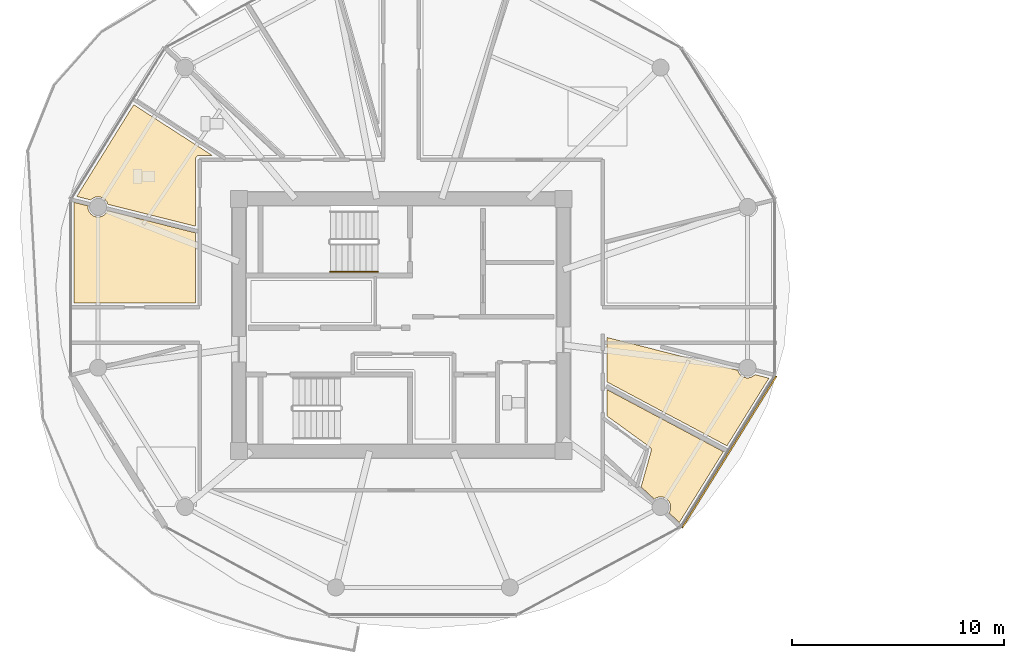
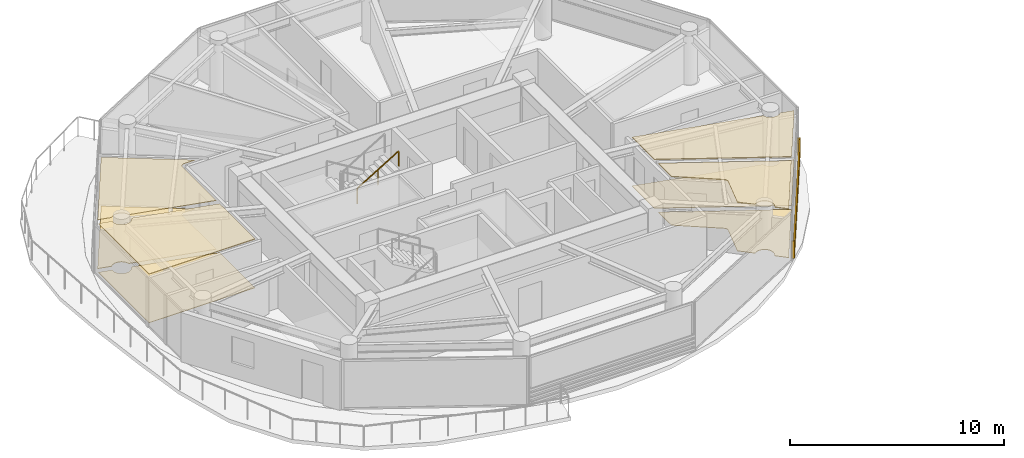
# One storey, part 20 of 25: 8 coverings, 1 railing, 1 shading device.
"""IFC4 building model written with IfcOpenShell, lengths in metres."""

from ifc_helpers import new_model, si_unit, direction, frame, origin, origin_2d, place, context, subcontext, project, spatial, polyline, rectangle, outline, extrude, source, transform, mapped, material, layer, layer_set, type_object, type_shapes, element, save


model = new_model("IFC4")

# Units and contexts
model_context = context("Model", 3, precision=1e-05, world=origin(), true_north=direction((0.0, 1.0)))
body_context = subcontext(model_context, "Body", "Model", "MODEL_VIEW")
ifc_project = project(units=[si_unit("LENGTHUNIT", "METRE"), si_unit("AREAUNIT", "SQUARE_METRE"), si_unit("VOLUMEUNIT", "CUBIC_METRE"), si_unit("PLANEANGLEUNIT", "RADIAN"), si_unit("MASSUNIT", "GRAM", prefix="KILO")], contexts=[model_context])

# Site, building, storey
site_placement = place(None, origin())
site = spatial("IfcSite", under=ifc_project, at=site_placement, CompositionType="ELEMENT")
building_placement = place(site_placement, origin())
building = spatial("IfcBuilding", under=site, at=building_placement, Name="Norrkilde Senior Care Towers", CompositionType="ELEMENT")
storey_placement = place(building_placement, frame((0.0, 0.0, 161.75)))
storey = spatial("IfcBuildingStorey", under=building, at=storey_placement, Name="L50", CompositionType="ELEMENT", Elevation=161.75)

# Coverings
ifc_material_1 = material(Name="Nordic Ash Timber", Category="wood")
ifc_layer_1 = layer(ifc_material_1, 0.044921875)
ifc_layer_set_1 = layer_set([ifc_layer_1], Name="Nordic Ash Timber")
covering_type_1 = type_object("IfcCoveringType", Name="Acoustic Ash Timber Slatted Ceiling 45", PredefinedType="CEILING", material=ifc_layer_set_1)
covering_1_placement = place(storey_placement, frame((0.0, 0.0, 2.764892578125)))
element("IfcCovering", 1, at=covering_1_placement, inside=storey, type_object=covering_type_1, Name="L50 Suspended Ceiling 0306", PredefinedType="CEILING", context=body_context, shape_type="SweptSolid", body=[
    extrude(outline(polyline([(-37.699951171875, 1.0400390625), (-43.410888671875, 1.0400390625), (-43.410888671875, 5.779541015625), (-42.758544921875, 5.61572265625), (-42.764892578125, 5.567138671875), (-42.74853515625, 5.44287109375), (-42.70068359375, 5.3271484375), (-42.624267578125, 5.2275390625), (-42.52490234375, 5.1513671875), (-42.4091796875, 5.103515625), (-42.284912109375, 5.087158203125), (-42.16064453125, 5.103515625), (-42.044921875, 5.1513671875), (-41.945556640625, 5.2275390625), (-41.869140625, 5.3271484375), (-41.8447265625, 5.38623046875), (-37.699951171875, 4.34521484375), (-37.699951171875, 1.0400390625)])), origin(), (0.0, 0.0, 1.0), 0.045166015625),
])
covering_2_placement = place(storey_placement, frame((0.0, 0.0, 2.764892578125)))
element("IfcCovering", 2, at=covering_2_placement, inside=storey, type_object=covering_type_1, Name="L50 Suspended Ceiling 0316", PredefinedType="CEILING", context=body_context, shape_type="SweptSolid", body=[
    extrude(outline(polyline([(-16.211181640625, -5.9482421875), (-16.20947265625, -5.94140625), (-16.20751953125, -5.92919921875), (-16.20654296875, -5.92236328125), (-16.20556640625, -5.91015625), (-16.20556640625, -5.903076171875), (-16.205810546875, -5.890869140625), (-16.20654296875, -5.8837890625), (-16.2080078125, -5.871826171875), (-16.20947265625, -5.86474609375), (-16.212158203125, -5.852783203125), (-16.214111328125, -5.84619140625), (-16.21826171875, -5.834716796875), (-16.220703125, -5.828125), (-16.225830078125, -5.81689453125), (-16.229248046875, -5.810791015625), (-16.235595703125, -5.80029296875), (-16.239501953125, -5.79443359375), (-16.24658203125, -5.78466796875), (-16.251220703125, -5.779052734375), (-16.25927734375, -5.770263671875), (-16.264404296875, -5.76513671875), (-16.2734375, -5.757080078125), (-16.279052734375, -5.752685546875), (-16.283935546875, -5.748779296875), (-18.300048828125, -4.28564453125), (-18.300048828125, -3.04638671875), (-12.807861328125, -5.970458984375), (-14.88134765625, -9.310546875), (-15.373779296875, -8.8525390625), (-15.3515625, -8.82373046875), (-15.3037109375, -8.7080078125), (-15.287353515625, -8.583740234375), (-15.3037109375, -8.45947265625), (-15.3515625, -8.34375), (-15.427978515625, -8.244384765625), (-15.52734375, -8.16796875), (-15.64306640625, -8.1201171875), (-15.767333984375, -8.103759765625), (-15.8916015625, -8.1201171875), (-16.00732421875, -8.16796875), (-16.0634765625, -8.211181640625), (-16.684814453125, -7.633056640625), (-16.212646484375, -5.9541015625), (-16.211181640625, -5.9482421875)])), origin(), (0.0, 0.0, 1.0), 0.045166015625),
])
covering_3_placement = place(storey_placement, frame((0.0, 0.0, 2.764892578125)))
element("IfcCovering", 3, at=covering_3_placement, inside=storey, type_object=covering_type_1, Name="L50 Suspended Ceiling 0317", PredefinedType="CEILING", context=body_context, shape_type="SweptSolid", body=[
    extrude(outline(polyline([(-12.12890625, -2.138916015625), (-12.128662109375, -2.140625), (-12.080810546875, -2.25634765625), (-12.00439453125, -2.355712890625), (-11.905029296875, -2.43212890625), (-11.789306640625, -2.47998046875), (-11.6650390625, -2.496337890625), (-11.540771484375, -2.47998046875), (-11.425048828125, -2.43212890625), (-11.32568359375, -2.355712890625), (-11.31591796875, -2.343017578125), (-10.658447265625, -2.508056640625), (-12.638671875, -5.697998046875), (-18.22900390625, -2.7216796875), (-18.2998046875, -2.68359375), (-18.300048828125, -0.5888671875), (-12.12890625, -2.138916015625)])), origin(), (0.0, 0.0, 1.0), 0.045166015625),
])
ifc_material_2 = material(Name="Gypsum Acoustic Board")
ifc_layer_2 = layer(ifc_material_2, 0.030029296875)
ifc_layer_set_2 = layer_set([ifc_layer_2], Name="Gypsum Acoustic Board")
covering_type_2 = type_object("IfcCoveringType", Name="Medical Cleanable Gypsum Ceiling 30", PredefinedType="CEILING", material=ifc_layer_set_2)
covering_4_placement = place(storey_placement, frame((0.0, 0.0, 2.780029296875)))
element("IfcCovering", 4, at=covering_4_placement, inside=storey, type_object=covering_type_2, Name="L50 Suspended Ceiling 0314", PredefinedType="CEILING", context=body_context, shape_type="SweptSolid", body=[
    extrude(outline(polyline([(-37.552490234375, 7.992919921875), (-37.563720703125, 7.989501953125), (-37.571044921875, 7.98681640625), (-37.58203125, 7.982421875), (-37.589111328125, 7.97900390625), (-37.599365234375, 7.973388671875), (-37.606201171875, 7.969482421875), (-37.615966796875, 7.962890625), (-37.622314453125, 7.958251953125), (-37.63134765625, 7.95068359375), (-37.63720703125, 7.945556640625), (-37.6455078125, 7.937255859375), (-37.65087890625, 7.931396484375), (-37.658203125, 7.92236328125), (-37.662841796875, 7.916015625), (-37.66943359375, 7.90625), (-37.673583984375, 7.8994140625), (-37.678955078125, 7.888916015625), (-37.682373046875, 7.8818359375), (-37.68701171875, 7.87109375), (-37.689453125, 7.86376953125), (-37.69287109375, 7.852294921875), (-37.69482421875, 7.8447265625), (-37.697265625, 7.833251953125), (-37.6982421875, 7.825439453125), (-37.699462890625, 7.813720703125), (-37.699951171875, 7.805908203125), (-37.699951171875, 7.800048828125), (-37.699951171875, 4.654541015625), (-41.821044921875, 5.689453125), (-41.8212890625, 5.691162109375), (-41.869140625, 5.80712890625), (-41.945556640625, 5.906494140625), (-42.044921875, 5.982666015625), (-42.16064453125, 6.03076171875), (-42.284912109375, 6.047119140625), (-42.4091796875, 6.03076171875), (-42.52490234375, 5.982666015625), (-42.624267578125, 5.906494140625), (-42.634033203125, 5.893798828125), (-43.291748046875, 6.058837890625), (-40.606689453125, 10.3837890625), (-36.91748046875, 8.0), (-37.5, 8.0), (-37.505859375, 7.999755859375), (-37.513671875, 7.99951171875), (-37.525390625, 7.998291015625), (-37.533203125, 7.9970703125), (-37.544677734375, 7.994873046875), (-37.552490234375, 7.992919921875)])), origin(), (0.0, 0.0, 1.0), 0.030029296875),
])
ifc_material_3 = material(Name="Slip-Resistant Porcelain Stone", Category="masonry")
ifc_layer_3 = layer(ifc_material_3, 0.02490234375)
ifc_layer_set_3 = layer_set([ifc_layer_3], Name="Slip-Resistant Porcelain Stone")
covering_type_3 = type_object("IfcCoveringType", Name="Slip-Resistant Porcelain Flooring 25", PredefinedType="FLOORING", material=ifc_layer_set_3)
covering_5_placement = place(storey_placement, origin())
element("IfcCovering", 5, at=covering_5_placement, inside=storey, type_object=covering_type_3, Name="L50 Floor Finish 0306", PredefinedType="FLOORING", context=body_context, shape_type="SweptSolid", body=[
    extrude(outline(polyline([(-37.699951171875, 1.0400390625), (-43.410888671875, 1.0400390625), (-43.410888671875, 5.779541015625), (-42.758544921875, 5.61572265625), (-42.764892578125, 5.567138671875), (-42.74853515625, 5.44287109375), (-42.70068359375, 5.3271484375), (-42.624267578125, 5.2275390625), (-42.52490234375, 5.1513671875), (-42.4091796875, 5.103515625), (-42.284912109375, 5.087158203125), (-42.16064453125, 5.103515625), (-42.044921875, 5.1513671875), (-41.945556640625, 5.2275390625), (-41.869140625, 5.3271484375), (-41.8447265625, 5.38623046875), (-37.699951171875, 4.34521484375), (-37.699951171875, 1.0400390625)])), origin(), (0.0, 0.0, 1.0), 0.02490234375),
])
covering_6_placement = place(storey_placement, origin())
element("IfcCovering", 6, at=covering_6_placement, inside=storey, type_object=covering_type_3, Name="L50 Floor Finish 0314", PredefinedType="FLOORING", context=body_context, shape_type="SweptSolid", body=[
    extrude(outline(polyline([(-37.552490234375, 7.992919921875), (-37.563720703125, 7.989501953125), (-37.571044921875, 7.98681640625), (-37.58203125, 7.982421875), (-37.589111328125, 7.97900390625), (-37.599365234375, 7.973388671875), (-37.606201171875, 7.969482421875), (-37.615966796875, 7.962890625), (-37.622314453125, 7.958251953125), (-37.63134765625, 7.95068359375), (-37.63720703125, 7.945556640625), (-37.6455078125, 7.937255859375), (-37.65087890625, 7.931396484375), (-37.658203125, 7.92236328125), (-37.662841796875, 7.916015625), (-37.66943359375, 7.90625), (-37.673583984375, 7.8994140625), (-37.678955078125, 7.888916015625), (-37.682373046875, 7.8818359375), (-37.68701171875, 7.87109375), (-37.689453125, 7.86376953125), (-37.69287109375, 7.852294921875), (-37.69482421875, 7.8447265625), (-37.697265625, 7.833251953125), (-37.6982421875, 7.825439453125), (-37.699462890625, 7.813720703125), (-37.699951171875, 7.805908203125), (-37.699951171875, 7.800048828125), (-37.699951171875, 4.654541015625), (-41.821044921875, 5.689453125), (-41.8212890625, 5.691162109375), (-41.869140625, 5.80712890625), (-41.945556640625, 5.906494140625), (-42.044921875, 5.982666015625), (-42.16064453125, 6.03076171875), (-42.284912109375, 6.047119140625), (-42.4091796875, 6.03076171875), (-42.52490234375, 5.982666015625), (-42.624267578125, 5.906494140625), (-42.634033203125, 5.893798828125), (-43.291748046875, 6.058837890625), (-40.606689453125, 10.3837890625), (-36.91748046875, 8.0), (-37.5, 8.0), (-37.505859375, 7.999755859375), (-37.513671875, 7.99951171875), (-37.525390625, 7.998291015625), (-37.533203125, 7.9970703125), (-37.544677734375, 7.994873046875), (-37.552490234375, 7.992919921875)])), origin(), (0.0, 0.0, 1.0), 0.02490234375),
])
covering_7_placement = place(storey_placement, origin())
element("IfcCovering", 7, at=covering_7_placement, inside=storey, type_object=covering_type_3, Name="L50 Floor Finish 0316", PredefinedType="FLOORING", context=body_context, shape_type="SweptSolid", body=[
    extrude(outline(polyline([(-16.211181640625, -5.9482421875), (-16.20947265625, -5.94140625), (-16.20751953125, -5.92919921875), (-16.20654296875, -5.92236328125), (-16.20556640625, -5.91015625), (-16.20556640625, -5.903076171875), (-16.205810546875, -5.890869140625), (-16.20654296875, -5.8837890625), (-16.2080078125, -5.871826171875), (-16.20947265625, -5.86474609375), (-16.212158203125, -5.852783203125), (-16.214111328125, -5.84619140625), (-16.21826171875, -5.834716796875), (-16.220703125, -5.828125), (-16.225830078125, -5.81689453125), (-16.229248046875, -5.810791015625), (-16.235595703125, -5.80029296875), (-16.239501953125, -5.79443359375), (-16.24658203125, -5.78466796875), (-16.251220703125, -5.779052734375), (-16.25927734375, -5.770263671875), (-16.264404296875, -5.76513671875), (-16.2734375, -5.757080078125), (-16.279052734375, -5.752685546875), (-16.283935546875, -5.748779296875), (-18.300048828125, -4.28564453125), (-18.300048828125, -3.04638671875), (-12.807861328125, -5.970458984375), (-14.88134765625, -9.310546875), (-15.373779296875, -8.8525390625), (-15.3515625, -8.82373046875), (-15.3037109375, -8.7080078125), (-15.287353515625, -8.583740234375), (-15.3037109375, -8.45947265625), (-15.3515625, -8.34375), (-15.427978515625, -8.244384765625), (-15.52734375, -8.16796875), (-15.64306640625, -8.1201171875), (-15.767333984375, -8.103759765625), (-15.8916015625, -8.1201171875), (-16.00732421875, -8.16796875), (-16.0634765625, -8.211181640625), (-16.684814453125, -7.633056640625), (-16.212646484375, -5.9541015625), (-16.211181640625, -5.9482421875)])), origin(), (0.0, 0.0, 1.0), 0.02490234375),
])
covering_8_placement = place(storey_placement, origin())
element("IfcCovering", 8, at=covering_8_placement, inside=storey, type_object=covering_type_3, Name="L50 Floor Finish 0317", PredefinedType="FLOORING", context=body_context, shape_type="SweptSolid", body=[
    extrude(outline(polyline([(-12.12890625, -2.138916015625), (-12.128662109375, -2.140625), (-12.080810546875, -2.25634765625), (-12.00439453125, -2.355712890625), (-11.905029296875, -2.43212890625), (-11.789306640625, -2.47998046875), (-11.6650390625, -2.496337890625), (-11.540771484375, -2.47998046875), (-11.425048828125, -2.43212890625), (-11.32568359375, -2.355712890625), (-11.31591796875, -2.343017578125), (-10.658447265625, -2.508056640625), (-12.638671875, -5.697998046875), (-18.22900390625, -2.7216796875), (-18.2998046875, -2.68359375), (-18.300048828125, -0.5888671875), (-12.12890625, -2.138916015625)])), origin(), (0.0, 0.0, 1.0), 0.02490234375),
])

# Railing
railing_type = type_object("IfcRailingType", Name="Wall and Stair Handrail 900", PredefinedType="HANDRAIL", material=ifc_material_1)
railing_placement = place(storey_placement, frame((-31.340087890625, 2.5, 1.6943359375)))
element("IfcRailing", 9, at=railing_placement, inside=storey, type_object=railing_type, Name="L50 ST-W1 stair handrail 2", PredefinedType="HANDRAIL", context=body_context, shape_type="SweptSolid", body=[
    extrude(rectangle(XDim=0.048095703125, YDim=0.048095703125, at=origin_2d()), frame((0.0, 0.0, 0.8759765625), z_axis=(0.855512035549, 0.0, 0.517782924622), x_axis=(0.0, 1.0, 0.0)), (0.0, 0.0, 1.0), 2.618408203125),
    extrude(rectangle(XDim=0.0419921875, YDim=0.0419921875, at=origin_2d()), origin(), (0.0, 0.0, 1.0), 0.849853515625),
    extrude(rectangle(XDim=0.0419921875, YDim=0.0419921875, at=origin_2d()), frame((1.1201171875, 0.0, 0.677734375)), (0.0, 0.0, 1.0), 0.849853515625),
    extrude(rectangle(XDim=0.0419921875, YDim=0.0419921875, at=origin_2d()), frame((2.239990234375, 0.0, 1.355712890625)), (0.0, 0.0, 1.0), 0.849853515625),
])

# Shading device
ifc_material_4 = material(Name="Architectural Terracotta", Category="masonry")
shading_device_type = type_object("IfcShadingDeviceType", Name="Horizontal Terracotta Baguette Rack", PredefinedType="USERDEFINED", material=ifc_material_4)
shared_shape = source(origin(), body_context, "Body", "SweptSolid", [
    extrude(rectangle(XDim=0.070068359375, YDim=0.110107421875, at=origin_2d()), frame((0.0, 0.090087890625, 0.125), z_axis=(1.0, 0.0, 0.0), x_axis=(0.0, 1.0, 0.0)), (0.0, 0.0, 1.0), 8.431396484375),
    extrude(rectangle(XDim=0.070068359375, YDim=0.110107421875, at=origin_2d()), frame((0.0, 0.090087890625, 0.375), z_axis=(1.0, 0.0, 0.0), x_axis=(0.0, 1.0, 0.0)), (0.0, 0.0, 1.0), 8.431396484375),
    extrude(rectangle(XDim=0.070068359375, YDim=0.110107421875, at=origin_2d()), frame((0.0, 0.090087890625, 0.625), z_axis=(1.0, 0.0, 0.0), x_axis=(0.0, 1.0, 0.0)), (0.0, 0.0, 1.0), 8.431396484375),
    extrude(rectangle(XDim=0.070068359375, YDim=0.110107421875, at=origin_2d()), frame((0.0, 0.090087890625, 0.875), z_axis=(1.0, 0.0, 0.0), x_axis=(0.0, 1.0, 0.0)), (0.0, 0.0, 1.0), 8.431396484375),
    extrude(rectangle(XDim=0.050048828125, YDim=0.1552734375, at=origin_2d()), frame((0.02490234375, 0.047607421875, 0.0)), (0.0, 0.0, 1.0), 1.0),
    extrude(rectangle(XDim=0.050048828125, YDim=0.1552734375, at=origin_2d()), frame((8.40625, 0.047607421875, 0.0)), (0.0, 0.0, 1.0), 1.0),
])
type_shapes(shading_device_type, [shared_shape])
shading_device_placement = place(storey_placement, frame((-10.38037109375, -2.360595703125, 0.080078125), z_axis=(0.0, 0.0, 1.0), x_axis=(-0.527378022296, -0.849630809324, 0.0)))
element("IfcShadingDevice", 10, at=shading_device_placement, inside=storey, type_object=shading_device_type, Name="L50 Drum W Terracotta Baguette Screen 10", ObjectType="BAGUETTE", PredefinedType="USERDEFINED", context=body_context, shape_type="MappedRepresentation", body=[
    mapped(shared_shape, transform((0.0, 0.0, 0.0), x_axis=(1.0, 0.0, 0.0), y_axis=(0.0, 1.0, 0.0), z_axis=(0.0, 0.0, 1.0), scale=1.0)),
])

save(model, "model.ifc")
